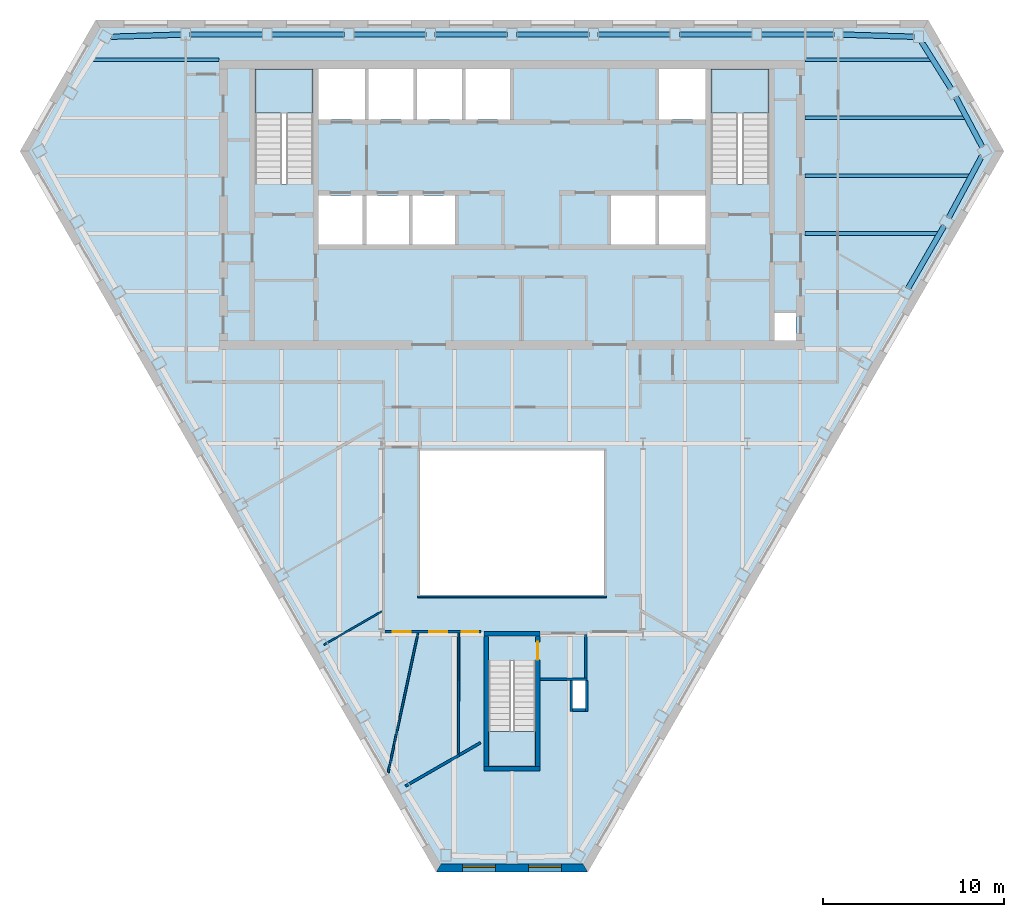
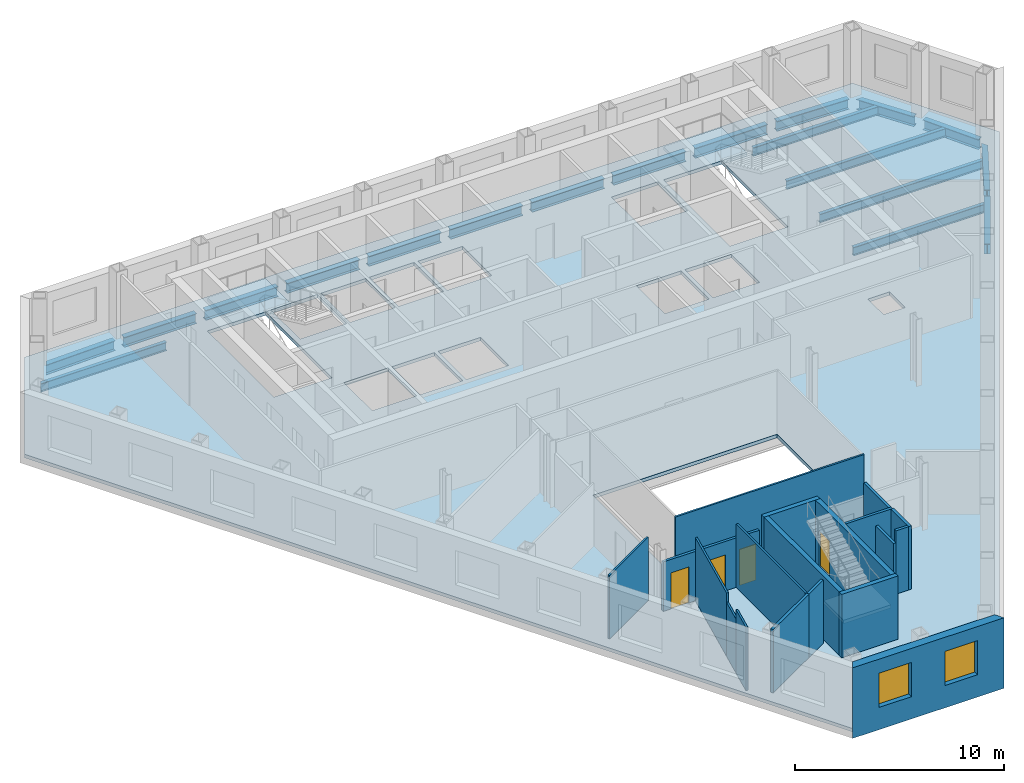
# One storey, part 3 of 10: 19 beams, 19 walls, 4 doors, 4 slabs, 2 windows, 6 openings, 3 elements without a shape of their own.
"""IFC4 building model written with IfcOpenShell, lengths in metres."""

from ifc_helpers import new_model, si_unit, direction, frame, frame_2d, origin, origin_2d, place, context, subcontext, project, spatial, polyline, rectangle, i_section, outline, extrude, clip, halfspace, material, layer, layer_set, material_profile, profile_set, type_object, element, fill, aggregate, save


model = new_model("IFC4")

# Units and contexts
model_context = context("Model", 3, precision=1e-05, world=origin(), true_north=direction((0.0, 1.0)))
body_context = subcontext(model_context, "Body", "Model", "MODEL_VIEW")
ifc_project = project(units=[si_unit("LENGTHUNIT", "METRE"), si_unit("AREAUNIT", "SQUARE_METRE"), si_unit("VOLUMEUNIT", "CUBIC_METRE"), si_unit("PLANEANGLEUNIT", "RADIAN"), si_unit("MASSUNIT", "GRAM", prefix="KILO")], contexts=[model_context])

# Site, building, storey
site_placement = place(None, origin())
site = spatial("IfcSite", under=ifc_project, at=site_placement, CompositionType="ELEMENT")
building_placement = place(site_placement, origin())
building = spatial("IfcBuilding", under=site, at=building_placement, Name="Njiva Tower", CompositionType="ELEMENT")
storey_placement = place(building_placement, frame((0.0, 0.0, 171.0)))
storey = spatial("IfcBuildingStorey", under=building, at=storey_placement, Name="L37", CompositionType="ELEMENT", Elevation=171.0)

# Beams
ifc_material_1 = material(Name="Steel S355 J2", Category="steel")
ifc_material_profile_1 = material_profile(ifc_material_1, i_section(OverallWidth=0.2, OverallDepth=0.5, WebThickness=0.0102, FlangeThickness=0.016, at=origin_2d()), Name="IPE 500")
ifc_profile_set_1 = profile_set([ifc_material_profile_1], Name="Steel S355 J2")
beam_type_1 = type_object("IfcBeamType", Name="B24 Floor beam to the core IPE 500", PredefinedType="BEAM", material=ifc_profile_set_1)
beam_1_placement = place(storey_placement, frame((16.2, 8.4, -0.45), z_axis=(1.0, 0.0, 0.0), x_axis=(0.0, 1.0, 0.0)))
element("IfcBeam", 1, at=beam_1_placement, inside=storey, type_object=beam_type_1, Name="Floor beam to the core S12-B009", PredefinedType="BEAM", context=body_context, shape_type="Clipping", body=[
    clip(extrude(i_section(OverallWidth=0.2, OverallDepth=0.5, WebThickness=0.0102, FlangeThickness=0.016, at=origin_2d()), origin(), (0.0, 0.0, 1.0), 7.396), halfspace(frame((-0.025, 0.0, 7.3036), z_axis=(-0.499998009787, 0.0, 0.866026552831), x_axis=(0.0, 1.0, 0.0)), False)),
])
beam_2_placement = place(storey_placement, frame((16.2, 11.6, -0.45), z_axis=(1.0, 0.0, 0.0), x_axis=(0.0, 1.0, 0.0)))
element("IfcBeam", 2, at=beam_2_placement, inside=storey, type_object=beam_type_1, Name="Floor beam to the core S12-B010", PredefinedType="BEAM", context=body_context, shape_type="Clipping", body=[
    clip(extrude(i_section(OverallWidth=0.2, OverallDepth=0.5, WebThickness=0.0102, FlangeThickness=0.016, at=origin_2d()), origin(), (0.0, 0.0, 1.0), 9.141), halfspace(frame((-0.0237, 0.0, 9.0542), z_axis=(-0.473769423091, 0.0, 0.880648927634), x_axis=(0.0, 1.0, 0.0)), False)),
])
beam_3_placement = place(storey_placement, frame((16.2, 14.8, -0.45), z_axis=(1.0, 0.0, 0.0), x_axis=(0.0, 1.0, 0.0)))
element("IfcBeam", 3, at=beam_3_placement, inside=storey, type_object=beam_type_1, Name="Floor beam to the core S12-B011", PredefinedType="BEAM", context=body_context, shape_type="Clipping", body=[
    clip(extrude(i_section(OverallWidth=0.2, OverallDepth=0.5, WebThickness=0.0102, FlangeThickness=0.016, at=origin_2d()), origin(), (0.0, 0.0, 1.0), 8.888), halfspace(frame((0.0234, 0.0, 8.8028), z_axis=(0.468070575493, 0.0, 0.883691086499), x_axis=(0.0, 1.0, 0.0)), False)),
])
beam_4_placement = place(storey_placement, frame((-23.221, 18.0, -0.45), z_axis=(1.0, 0.0, 0.0), x_axis=(0.0, 1.0, 0.0)))
element("IfcBeam", 4, at=beam_4_placement, inside=storey, type_object=beam_type_1, Name="Floor beam to the core S12-B004", PredefinedType="BEAM", context=body_context, shape_type="Clipping", body=[
    clip(extrude(i_section(OverallWidth=0.2, OverallDepth=0.5, WebThickness=0.0102, FlangeThickness=0.016, at=origin_2d()), origin(), (0.0, 0.0, 1.0), 7.021), halfspace(frame((0.0266, 0.0, 0.1), z_axis=(0.531259476258, 0.0, -0.847209164779), x_axis=(0.0, -1.0, 0.0)), False)),
])
beam_5_placement = place(storey_placement, frame((16.2, 18.0, -0.45), z_axis=(1.0, 0.0, 0.0), x_axis=(0.0, 1.0, 0.0)))
element("IfcBeam", 5, at=beam_5_placement, inside=storey, type_object=beam_type_1, Name="Floor beam to the core S12-B012", PredefinedType="BEAM", context=body_context, shape_type="Clipping", body=[
    clip(extrude(i_section(OverallWidth=0.2, OverallDepth=0.5, WebThickness=0.0102, FlangeThickness=0.016, at=origin_2d()), origin(), (0.0, 0.0, 1.0), 7.021), halfspace(frame((0.0266, 0.0, 6.921), z_axis=(0.531259476258, 0.0, 0.847209164779), x_axis=(0.0, 1.0, 0.0)), False)),
])
ifc_material_profile_2 = material_profile(ifc_material_1, i_section(OverallWidth=0.3, OverallDepth=0.59, WebThickness=0.013, FlangeThickness=0.025, at=origin_2d()), Name="HEA 600")
ifc_profile_set_2 = profile_set([ifc_material_profile_2], Name="Steel S355 J2")
beam_type_2 = type_object("IfcBeamType", Name="B27 Short-span spandrel beam HEA 600", PredefinedType="SPANDREL", material=ifc_profile_set_2)
beam_6_placement = place(storey_placement, frame((22.207, 19.275, -0.495), z_axis=(-0.999555557575, 0.029810859097, 0.0), x_axis=(-0.029810859097, -0.999555557575, 0.0)))
element("IfcBeam", 6, at=beam_6_placement, inside=storey, type_object=beam_type_2, Name="Short-span spandrel beam S12-B140", PredefinedType="SPANDREL", context=body_context, shape_type="SweptSolid", body=[
    extrude(i_section(OverallWidth=0.3, OverallDepth=0.59, WebThickness=0.013, FlangeThickness=0.025, at=origin_2d()), origin(), (0.0, 0.0, 1.0), 3.9247),
])
beam_7_placement = place(storey_placement, frame((17.78, 19.4, -0.495), z_axis=(-1.0, 0.0, 0.0), x_axis=(0.0, -1.0, 0.0)))
element("IfcBeam", 7, at=beam_7_placement, inside=storey, type_object=beam_type_2, Name="Short-span spandrel beam S12-B134", PredefinedType="SPANDREL", context=body_context, shape_type="SweptSolid", body=[
    extrude(i_section(OverallWidth=0.3, OverallDepth=0.59, WebThickness=0.013, FlangeThickness=0.025, at=origin_2d()), origin(), (0.0, 0.0, 1.0), 4.007),
])
beam_8_placement = place(storey_placement, frame((13.273, 19.4, -0.495), z_axis=(-1.0, 0.0, 0.0), x_axis=(0.0, -1.0, 0.0)))
element("IfcBeam", 8, at=beam_8_placement, inside=storey, type_object=beam_type_2, Name="Short-span spandrel beam S12-B129", PredefinedType="SPANDREL", context=body_context, shape_type="SweptSolid", body=[
    extrude(i_section(OverallWidth=0.3, OverallDepth=0.59, WebThickness=0.013, FlangeThickness=0.025, at=origin_2d()), origin(), (0.0, 0.0, 1.0), 4.008),
])
beam_9_placement = place(storey_placement, frame((8.765, 19.4, -0.495), z_axis=(-1.0, 0.0, 0.0), x_axis=(0.0, -1.0, 0.0)))
element("IfcBeam", 9, at=beam_9_placement, inside=storey, type_object=beam_type_2, Name="Short-span spandrel beam S12-B124", PredefinedType="SPANDREL", context=body_context, shape_type="SweptSolid", body=[
    extrude(i_section(OverallWidth=0.3, OverallDepth=0.59, WebThickness=0.013, FlangeThickness=0.025, at=origin_2d()), origin(), (0.0, 0.0, 1.0), 4.007),
])
for number, where, z_axis, x_axis, name in (
    (10, (4.258, 19.4, -0.495), (-1.0, 0.0, 0.0), (0.0, -1.0, 0.0), "Short-span spandrel beam S12-B120"),
    (11, (-0.25, 19.4, -0.495), (-1.0, 0.0, 0.0), (0.0, -1.0, 0.0), "Short-span spandrel beam S12-B115"),
):
    element("IfcBeam", number, at=place(storey_placement, frame(where, z_axis=z_axis, x_axis=x_axis)), inside=storey, type_object=beam_type_2, Name=name, PredefinedType="SPANDREL", context=body_context, shape_type="SweptSolid", body=[
        extrude(i_section(OverallWidth=0.3, OverallDepth=0.59, WebThickness=0.013, FlangeThickness=0.025, at=origin_2d()), origin(), (0.0, 0.0, 1.0), 4.008),
    ])
beam_10_placement = place(storey_placement, frame((-4.758, 19.4, -0.495), z_axis=(-1.0, 0.0, 0.0), x_axis=(0.0, -1.0, 0.0)))
element("IfcBeam", 12, at=beam_10_placement, inside=storey, type_object=beam_type_2, Name="Short-span spandrel beam S12-B109", PredefinedType="SPANDREL", context=body_context, shape_type="SweptSolid", body=[
    extrude(i_section(OverallWidth=0.3, OverallDepth=0.59, WebThickness=0.013, FlangeThickness=0.025, at=origin_2d()), origin(), (0.0, 0.0, 1.0), 4.007),
])
beam_11_placement = place(storey_placement, frame((-9.265, 19.4, -0.495), z_axis=(-1.0, 0.0, 0.0), x_axis=(0.0, -1.0, 0.0)))
element("IfcBeam", 13, at=beam_11_placement, inside=storey, type_object=beam_type_2, Name="Short-span spandrel beam S12-B104", PredefinedType="SPANDREL", context=body_context, shape_type="SweptSolid", body=[
    extrude(i_section(OverallWidth=0.3, OverallDepth=0.59, WebThickness=0.013, FlangeThickness=0.025, at=origin_2d()), origin(), (0.0, 0.0, 1.0), 4.008),
])
beam_12_placement = place(storey_placement, frame((-13.773, 19.4, -0.495), z_axis=(-1.0, 0.0, 0.0), x_axis=(0.0, -1.0, 0.0)))
element("IfcBeam", 14, at=beam_12_placement, inside=storey, type_object=beam_type_2, Name="Short-span spandrel beam S12-B099", PredefinedType="SPANDREL", context=body_context, shape_type="SweptSolid", body=[
    extrude(i_section(OverallWidth=0.3, OverallDepth=0.59, WebThickness=0.013, FlangeThickness=0.025, at=origin_2d()), origin(), (0.0, 0.0, 1.0), 4.007),
])
beam_13_placement = place(storey_placement, frame((-18.284, 19.392, -0.495), z_axis=(-0.999548343255, -0.030051780255, 0.0), x_axis=(0.030051780255, -0.999548343255, 0.0)))
element("IfcBeam", 15, at=beam_13_placement, inside=storey, type_object=beam_type_2, Name="Short-span spandrel beam S12-B093", PredefinedType="SPANDREL", context=body_context, shape_type="Clipping", body=[
    clip(extrude(i_section(OverallWidth=0.3, OverallDepth=0.59, WebThickness=0.013, FlangeThickness=0.025, at=origin_2d()), origin(), (0.0, 0.0, 1.0), 3.9397), halfspace(frame((-0.0268, 0.0, 3.81), z_axis=(-0.525797821974, 0.0, 0.850609575779), x_axis=(0.0, 1.0, 0.0)), False)),
])
beam_14_placement = place(storey_placement, frame((21.879, 5.361, -0.495), z_axis=(0.499924104568, 0.866069217599, 0.0), x_axis=(-0.866069217599, 0.499924104568, 0.0)))
element("IfcBeam", 16, at=beam_14_placement, inside=storey, type_object=beam_type_2, Name="Short-span spandrel beam S12-B144", PredefinedType="SPANDREL", context=body_context, shape_type="SweptSolid", body=[
    extrude(i_section(OverallWidth=0.3, OverallDepth=0.59, WebThickness=0.013, FlangeThickness=0.025, at=origin_2d()), origin(), (0.0, 0.0, 1.0), 4.0066),
])
beam_15_placement = place(storey_placement, frame((24.128, 9.271, -0.495), z_axis=(0.473772541358, 0.88064725007, 0.0), x_axis=(-0.88064725007, 0.473772541358, 0.0)))
element("IfcBeam", 17, at=beam_15_placement, inside=storey, type_object=beam_type_2, Name="Short-span spandrel beam S12-B148", PredefinedType="SPANDREL", context=body_context, shape_type="Clipping", body=[
    clip(extrude(i_section(OverallWidth=0.3, OverallDepth=0.59, WebThickness=0.013, FlangeThickness=0.025, at=origin_2d()), origin(), (0.0, 0.0, 1.0), 3.9397), halfspace(frame((-0.0259, 0.0, 3.8102), z_axis=(-0.525778574468, 0.0, 0.850621473178), x_axis=(0.0, 1.0, 0.0)), False)),
])
beam_16_placement = place(storey_placement, frame((25.989, 13.176, -0.495), z_axis=(-0.468107171573, 0.883671701438, 0.0), x_axis=(-0.883671701438, -0.468107171573, 0.0)))
element("IfcBeam", 18, at=beam_16_placement, inside=storey, type_object=beam_type_2, Name="Short-span spandrel beam S12-B149", PredefinedType="SPANDREL", context=body_context, shape_type="SweptSolid", body=[
    extrude(i_section(OverallWidth=0.3, OverallDepth=0.59, WebThickness=0.013, FlangeThickness=0.025, at=origin_2d()), origin(), (0.0, 0.0, 1.0), 3.1403),
])
beam_17_placement = place(storey_placement, frame((24.264, 16.392, -0.495), z_axis=(-0.531329059017, 0.847165527535, 0.0), x_axis=(-0.847165527535, -0.531329059017, 0.0)))
element("IfcBeam", 19, at=beam_17_placement, inside=storey, type_object=beam_type_2, Name="Short-span spandrel beam S12-B145", PredefinedType="SPANDREL", context=body_context, shape_type="Clipping", body=[
    clip(extrude(i_section(OverallWidth=0.3, OverallDepth=0.59, WebThickness=0.013, FlangeThickness=0.025, at=origin_2d()), origin(), (0.0, 0.0, 1.0), 3.1535), halfspace(frame((-0.0269, 0.0, 3.0227), z_axis=(-0.531329059017, 0.0, 0.847165527535), x_axis=(0.0, 1.0, 0.0)), False)),
])

# Stair, slab
ifc_material_2 = material(Name="Concrete C40/50", Category="concrete")
stair_type_1 = type_object("IfcStairType", Name="ST4 Exit stair 1500", PredefinedType="HALF_TURN_STAIR", material=ifc_material_2)
stair_1_placement = place(storey_placement, origin())
stair_1 = element("IfcStair", 20, at=stair_1_placement, inside=storey, type_object=stair_type_1, Name="Stair A", PredefinedType="HALF_TURN_STAIR")
ifc_layer_1 = layer(ifc_material_2, 0.2)
ifc_layer_set_1 = layer_set([ifc_layer_1], Name="Concrete C40/50")
slab_type_1 = type_object("IfcSlabType", Name="FL9 Stair landing 200", PredefinedType="LANDING", material=ifc_layer_set_1)
slab_1_placement = place(storey_placement, frame((0.0, 0.0, 1.75)))
slab_1 = element("IfcSlab", 21, at=slab_1_placement, type_object=slab_type_1, Name="ST-A landing 1", PredefinedType="LANDING", context=body_context, shape_type="SweptSolid", body=[
    extrude(outline(polyline([(-14.206, 15.06), (-10.994, 15.06), (-10.994, 17.5), (-14.206, 17.5), (-14.206, 15.06)])), origin(), (0.0, 0.0, 1.0), 0.2),
])
aggregate(stair_1, [slab_1])

stair_2_placement = place(storey_placement, origin())
stair_2 = element("IfcStair", 22, at=stair_2_placement, inside=storey, type_object=stair_type_1, Name="Stair B", PredefinedType="HALF_TURN_STAIR")
slab_2_placement = place(storey_placement, frame((0.0, 0.0, 1.75)))
slab_2 = element("IfcSlab", 23, at=slab_2_placement, type_object=slab_type_1, Name="ST-B landing 1", PredefinedType="LANDING", context=body_context, shape_type="SweptSolid", body=[
    extrude(outline(polyline([(10.994, 15.06), (14.206, 15.06), (14.206, 17.5), (10.994, 17.5), (10.994, 15.06)])), origin(), (0.0, 0.0, 1.0), 0.2),
])
aggregate(stair_2, [slab_2])

stair_type_2 = type_object("IfcStairType", Name="ST1 Exit stair 1250", PredefinedType="HALF_TURN_STAIR", material=ifc_material_2)
stair_3_placement = place(storey_placement, origin())
stair_3 = element("IfcStair", 24, at=stair_3_placement, inside=storey, type_object=stair_type_2, Name="Stair C", PredefinedType="HALF_TURN_STAIR")
slab_3_placement = place(storey_placement, frame((0.0, 0.0, 1.75)))
slab_3 = element("IfcSlab", 25, at=slab_3_placement, type_object=slab_type_1, Name="ST-C landing 1", PredefinedType="LANDING", context=body_context, shape_type="SweptSolid", body=[
    extrude(outline(polyline([(-1.306, -21.05), (1.306, -21.05), (1.306, -19.12), (-1.306, -19.12), (-1.306, -21.05)])), origin(), (0.0, 0.0, 1.0), 0.2),
])
aggregate(stair_3, [slab_3])

# Slab
ifc_material_3 = material(Name="Concrete C30/37", Category="concrete")
ifc_layer_2 = layer(ifc_material_3, 0.2)
ifc_layer_set_2 = layer_set([ifc_layer_2], Name="Concrete C30/37")
slab_type_2 = type_object("IfcSlabType", Name="SL16 Composite floor slab 200", PredefinedType="FLOOR", material=ifc_layer_set_2)
slab_4_placement = place(storey_placement, frame((0.0, 0.0, -0.2)))
element("IfcSlab", 26, at=slab_4_placement, inside=storey, type_object=slab_type_2, Name="Floor slab L37", PredefinedType="FLOOR", context=body_context, shape_type="SweptSolid", body=[
    extrude(outline(polyline([(26.9252, 12.9514), (4.0551, -26.6608), (-4.0551, -26.6608), (-26.9252, 12.9514), (-22.8701, 19.975), (22.8701, 19.975), (26.9252, 12.9514)]), holes=[polyline([(14.5, 2.5), (15.7, 2.5), (15.7, 4.0), (14.5, 4.0), (14.5, 2.5)]), polyline([(10.994, 11.13), (14.206, 11.13), (14.206, 17.5), (10.994, 17.5), (10.994, 11.13)]), polyline([(8.125, 14.7), (10.7, 14.7), (10.7, 17.5), (8.125, 17.5), (8.125, 14.7)]), polyline([(8.1333, 7.8), (10.7, 7.8), (10.7, 10.5), (8.1333, 10.5), (8.1333, 7.8)]), polyline([(5.4667, 7.8), (7.9333, 7.8), (7.9333, 10.5), (5.4667, 10.5), (5.4667, 7.8)]), polyline([(5.09, -11.6), (5.09, -3.6), (-5.09, -3.6), (-5.09, -11.6), (5.09, -11.6)]), polyline([(3.35, -17.85), (4.05, -17.85), (4.05, -16.3), (3.35, -16.3), (3.35, -17.85)]), polyline([(-1.306, -21.05), (1.306, -21.05), (1.306, -15.19), (-1.306, -15.19), (-1.306, -21.05)]), polyline([(-2.575, 14.7), (-0.1, 14.7), (-0.1, 17.5), (-2.575, 17.5), (-2.575, 14.7)]), polyline([(-5.25, 14.7), (-2.775, 14.7), (-2.775, 17.5), (-5.25, 17.5), (-5.25, 14.7)]), polyline([(-5.5, 7.8), (-3.15, 7.8), (-3.15, 10.5), (-5.5, 10.5), (-5.5, 7.8)]), polyline([(-7.925, 14.7), (-5.45, 14.7), (-5.45, 17.5), (-7.925, 17.5), (-7.925, 14.7)]), polyline([(-8.05, 7.8), (-5.7, 7.8), (-5.7, 10.5), (-8.05, 10.5), (-8.05, 7.8)]), polyline([(-10.7, 14.7), (-8.125, 14.7), (-8.125, 17.5), (-10.7, 17.5), (-10.7, 14.7)]), polyline([(-10.7, 7.8), (-8.25, 7.8), (-8.25, 10.5), (-10.7, 10.5), (-10.7, 7.8)]), polyline([(-14.206, 11.13), (-10.994, 11.13), (-10.994, 17.5), (-14.206, 17.5), (-14.206, 11.13)])]), origin(), (0.0, 0.0, 1.0), 0.2),
])

# Walls
ifc_material_4 = material(Name="Gypsum board on steel studs", Category="gypsum")
ifc_layer_3 = layer(ifc_material_4, 0.1)
ifc_layer_set_3 = layer_set([ifc_layer_3], Name="Gypsum board on steel studs")
wall_type_1 = type_object("IfcWallType", Name="WT20 Gypsum partition 100", PredefinedType="PARTITIONING", material=ifc_layer_set_3)
wall_1_placement = place(storey_placement, frame((-10.398, -14.325, 0.0), z_axis=(0.0, 0.0, 1.0), x_axis=(0.866041729639, 0.499971721724, 0.0)))
element("IfcWall", 27, at=wall_1_placement, inside=storey, type_object=wall_type_1, Name="Partition S12-P007", PredefinedType="PARTITIONING", context=body_context, shape_type="SweptSolid", body=[
    extrude(rectangle(XDim=3.7042, YDim=0.1, at=frame_2d((1.8521, 0.0))), origin(), (0.0, 0.0, 1.0), 3.7),
])
wall_2_placement = place(storey_placement, frame((-6.844, -21.38, 0.0), z_axis=(0.0, 0.0, 1.0), x_axis=(0.209529088731, 0.977802414077, 0.0)))
element("IfcWall", 28, at=wall_2_placement, inside=storey, type_object=wall_type_1, Name="Partition S12-P013", PredefinedType="PARTITIONING", context=body_context, shape_type="SweptSolid", body=[
    extrude(rectangle(XDim=1.542, YDim=0.1, at=frame_2d((0.771, 0.0))), origin(), (0.0, 0.0, 1.0), 3.7),
])
wall_3_placement = place(storey_placement, frame((-6.5209, -19.8722, 0.0), z_axis=(0.0, 0.0, 1.0), x_axis=(0.209543036328, 0.977799425203, 0.0)))
element("IfcWall", 29, at=wall_3_placement, inside=storey, type_object=wall_type_1, Name="Partition S12-P013A", PredefinedType="PARTITIONING", context=body_context, shape_type="SweptSolid", body=[
    extrude(rectangle(XDim=1.4689, YDim=0.1, at=frame_2d((0.7345, 0.0))), origin(), (0.0, 0.0, 1.0), 3.15),
])
wall_4_placement = place(storey_placement, frame((-6.2131, -18.4359, 0.0), z_axis=(0.0, 0.0, 1.0), x_axis=(0.209538927619, 0.977800305692, 0.0)))
element("IfcWall", 30, at=wall_4_placement, inside=storey, type_object=wall_type_1, Name="Partition S12-P013B", PredefinedType="PARTITIONING", context=body_context, shape_type="SweptSolid", body=[
    extrude(rectangle(XDim=4.8588, YDim=0.1, at=frame_2d((2.4294, 0.0))), origin(), (0.0, 0.0, 1.0), 3.7),
])
wall_5_placement = place(storey_placement, frame((-2.959, -20.324, 0.0), z_axis=(0.0, 0.0, 1.0), x_axis=(0.0028575609, 0.999995917165, 0.0)))
element("IfcWall", 31, at=wall_5_placement, inside=storey, type_object=wall_type_1, Name="Partition S12-P016", PredefinedType="PARTITIONING", context=body_context, shape_type="SweptSolid", body=[
    extrude(rectangle(XDim=6.649, YDim=0.1, at=frame_2d((3.3245, 0.0))), origin(), (0.0, 0.0, 1.0), 3.7),
])

# Wall, openings, doors
ifc_layer_4 = layer(ifc_material_4, 0.15)
ifc_layer_set_4 = layer_set([ifc_layer_4], Name="Gypsum board on steel studs")
wall_type_2 = type_object("IfcWallType", Name="WT21 Compartment wall 150", PredefinedType="PARTITIONING", material=ifc_layer_set_4)
wall_6_placement = place(storey_placement, frame((-7.015, -13.6, 0.0), z_axis=(0.0, 0.0, 1.0), x_axis=(1.0, 0.0, 0.0)))
wall_6 = element("IfcWall", 32, at=wall_6_placement, inside=storey, type_object=wall_type_2, Name="Partition S12-P012", PredefinedType="PARTITIONING", context=body_context, shape_type="SweptSolid", body=[
    extrude(rectangle(XDim=5.315, YDim=0.15, at=frame_2d((2.6575, 0.0))), origin(), (0.0, 0.0, 1.0), 2.886),
])
opening_1_placement = place(wall_6_placement, frame((0.419, 0.0, 0.0)))
opening_1 = element("IfcOpeningElement", 33, at=opening_1_placement, cuts=wall_6, Name="Opening S12-D008", PredefinedType="OPENING", context=body_context, shape_type="SweptSolid", body=[
    extrude(rectangle(XDim=1.0, YDim=2.1, at=frame_2d((0.5, 1.05))), frame((0.0, 0.085, 0.0), z_axis=(0.0, -1.0, 0.0), x_axis=(1.0, 0.0, 0.0)), (0.0, 0.0, 1.0), 0.17),
])
opening_2_placement = place(wall_6_placement, frame((2.44, 0.0, 0.0)))
opening_2 = element("IfcOpeningElement", 34, at=opening_2_placement, cuts=wall_6, Name="Opening S12-D009", PredefinedType="OPENING", context=body_context, shape_type="SweptSolid", body=[
    extrude(rectangle(XDim=1.0, YDim=2.1, at=frame_2d((0.5, 1.05))), frame((0.0, 0.085, 0.0), z_axis=(0.0, -1.0, 0.0), x_axis=(1.0, 0.0, 0.0)), (0.0, 0.0, 1.0), 0.17),
])
opening_3_placement = place(wall_6_placement, frame((4.245, 0.0, 0.0)))
opening_3 = element("IfcOpeningElement", 35, at=opening_3_placement, cuts=wall_6, Name="Opening S12-D010", PredefinedType="OPENING", context=body_context, shape_type="SweptSolid", body=[
    extrude(rectangle(XDim=0.9, YDim=2.1, at=frame_2d((0.45, 1.05))), frame((0.0, 0.085, 0.0), z_axis=(0.0, -1.0, 0.0), x_axis=(1.0, 0.0, 0.0)), (0.0, 0.0, 1.0), 0.17),
])
ifc_material_5 = material(Name="Steel fire door set", Category="steel")
door_type_1 = type_object("IfcDoorType", Name="D36 Fire door 900x2100", OperationType="SINGLE_SWING_LEFT", PredefinedType="DOOR", material=ifc_material_5)
door_1_placement = place(opening_3_placement, origin())
door_1 = element("IfcDoor", 36, at=door_1_placement, inside=storey, type_object=door_type_1, Name="Door S12-D010", OperationType="SINGLE_SWING_RIGHT", OverallHeight=2.1, OverallWidth=0.9, PredefinedType="DOOR", context=body_context, shape_type="SweptSolid", body=[
    extrude(rectangle(XDim=0.9, YDim=2.1, at=frame_2d((0.45, 1.05))), frame((0.0, 0.025, 0.0), z_axis=(0.0, -1.0, 0.0), x_axis=(1.0, 0.0, 0.0)), (0.0, 0.0, 1.0), 0.05),
])
fill(opening_3, door_1)
door_type_2 = type_object("IfcDoorType", Name="D37 Fire door 1000x2100", OperationType="SINGLE_SWING_LEFT", PredefinedType="DOOR", material=ifc_material_5)
door_2_placement = place(opening_1_placement, origin())
door_2 = element("IfcDoor", 37, at=door_2_placement, inside=storey, type_object=door_type_2, Name="Door S12-D008", OperationType="SINGLE_SWING_LEFT", OverallHeight=2.1, OverallWidth=1.0, PredefinedType="DOOR", context=body_context, shape_type="SweptSolid", body=[
    extrude(rectangle(XDim=1.0, YDim=2.1, at=frame_2d((0.5, 1.05))), frame((0.0, 0.025, 0.0), z_axis=(0.0, -1.0, 0.0), x_axis=(1.0, 0.0, 0.0)), (0.0, 0.0, 1.0), 0.05),
])
fill(opening_1, door_2)
door_3_placement = place(opening_2_placement, origin())
door_3 = element("IfcDoor", 38, at=door_3_placement, inside=storey, type_object=door_type_2, Name="Door S12-D009", OperationType="SINGLE_SWING_RIGHT", OverallHeight=2.1, OverallWidth=1.0, PredefinedType="DOOR", context=body_context, shape_type="SweptSolid", body=[
    extrude(rectangle(XDim=1.0, YDim=2.1, at=frame_2d((0.5, 1.05))), frame((0.0, 0.025, 0.0), z_axis=(0.0, -1.0, 0.0), x_axis=(1.0, 0.0, 0.0)), (0.0, 0.0, 1.0), 0.05),
])
fill(opening_2, door_3)

# Walls
wall_7_placement = place(storey_placement, frame((-5.89, -22.132, 0.0), z_axis=(0.0, 0.0, 1.0), x_axis=(0.866030409726, 0.499991329354, 0.0)))
element("IfcWall", 39, at=wall_7_placement, inside=storey, type_object=wall_type_2, Name="Partition S12-P014", PredefinedType="PARTITIONING", context=body_context, shape_type="SweptSolid", body=[
    extrude(rectangle(XDim=3.4341, YDim=0.15, at=frame_2d((1.717, 0.0))), origin(), (0.0, 0.0, 1.0), 3.7),
])
wall_8_placement = place(storey_placement, frame((-2.916, -20.415, 0.0), z_axis=(0.0, 0.0, 1.0), x_axis=(0.865426285481, 0.501036270542, 0.0)))
element("IfcWall", 40, at=wall_8_placement, inside=storey, type_object=wall_type_2, Name="Partition S12-P017", PredefinedType="PARTITIONING", context=body_context, shape_type="SweptSolid", body=[
    extrude(rectangle(XDim=1.3612, YDim=0.15, at=frame_2d((0.6806, 0.0))), origin(), (0.0, 0.0, 1.0), 3.7),
])
ifc_material_6 = material(Name="Blockwork", Category="masonry")
ifc_layer_5 = layer(ifc_material_6, 0.15)
ifc_layer_set_5 = layer_set([ifc_layer_5], Name="Blockwork")
wall_type_3 = type_object("IfcWallType", Name="WT4 Stair partition 150", PredefinedType="PARTITIONING", material=ifc_layer_set_5)
wall_9_placement = place(storey_placement, frame((1.55, -16.225, 0.0), z_axis=(0.0, 0.0, 1.0), x_axis=(1.0, 0.0, 0.0)))
element("IfcWall", 41, at=wall_9_placement, inside=storey, type_object=wall_type_3, Name="Stair C vestibule wall south", PredefinedType="PARTITIONING", context=body_context, shape_type="SweptSolid", body=[
    extrude(rectangle(XDim=2.6, YDim=0.15, at=frame_2d((1.3, 0.0))), origin(), (0.0, 0.0, 1.0), 3.7),
])
wall_10_placement = place(storey_placement, frame((4.075, -16.15, 0.0), z_axis=(0.0, 0.0, 1.0), x_axis=(0.0, 1.0, 0.0)))
element("IfcWall", 42, at=wall_10_placement, inside=storey, type_object=wall_type_3, Name="Stair C vestibule wall east", PredefinedType="PARTITIONING", context=body_context, shape_type="SweptSolid", body=[
    extrude(rectangle(XDim=2.4, YDim=0.15, at=frame_2d((1.2, 0.0))), origin(), (0.0, 0.0, 1.0), 3.7),
])
wall_11_placement = place(storey_placement, frame((3.275, -18.0, 0.0), z_axis=(0.0, 0.0, 1.0), x_axis=(0.0, 1.0, 0.0)))
element("IfcWall", 43, at=wall_11_placement, inside=storey, type_object=wall_type_3, Name="Stair C pressurisation shaft wall", PredefinedType="PARTITIONING", context=body_context, shape_type="SweptSolid", body=[
    extrude(rectangle(XDim=1.7, YDim=0.15, at=frame_2d((0.85, 0.0))), origin(), (0.0, 0.0, 1.0), 3.01),
])
wall_12_placement = place(storey_placement, frame((3.35, -17.925, 0.0), z_axis=(0.0, 0.0, 1.0), x_axis=(1.0, 0.0, 0.0)))
element("IfcWall", 44, at=wall_12_placement, inside=storey, type_object=wall_type_3, Name="Stair C pressurisation shaft wall", PredefinedType="PARTITIONING", context=body_context, shape_type="SweptSolid", body=[
    extrude(rectangle(XDim=0.7, YDim=0.15, at=frame_2d((0.35, 0.0))), origin(), (0.0, 0.0, 1.0), 3.7),
])
wall_13_placement = place(storey_placement, frame((4.125, -18.0, 0.0), z_axis=(0.0, 0.0, 1.0), x_axis=(0.0, 1.0, 0.0)))
element("IfcWall", 45, at=wall_13_placement, inside=storey, type_object=wall_type_3, Name="Stair C pressurisation shaft wall", PredefinedType="PARTITIONING", context=body_context, shape_type="SweptSolid", body=[
    extrude(rectangle(XDim=1.7, YDim=0.15, at=frame_2d((0.85, 0.0))), origin(), (0.0, 0.0, 1.0), 3.7),
])
ifc_layer_6 = layer(ifc_material_2, 0.25)
ifc_layer_set_6 = layer_set([ifc_layer_6], Name="Concrete C40/50")
wall_type_4 = type_object("IfcWallType", Name="WT9 Stair enclosure wall 250", PredefinedType="SHEAR", material=ifc_layer_set_6)
wall_14_placement = place(storey_placement, frame((-1.425, -21.05, 0.0), z_axis=(0.0, 0.0, 1.0), x_axis=(0.0, 1.0, 0.0)))
element("IfcWall", 46, at=wall_14_placement, inside=storey, type_object=wall_type_4, Name="Stair C wall west", PredefinedType="SHEAR", context=body_context, shape_type="SweptSolid", body=[
    extrude(rectangle(XDim=7.2, YDim=0.25, at=frame_2d((3.6, 0.0))), origin(), (0.0, 0.0, 1.0), 3.7),
])

# Wall, opening, door
wall_15_placement = place(storey_placement, frame((1.425, -21.05, 0.0), z_axis=(0.0, 0.0, 1.0), x_axis=(0.0, 1.0, 0.0)))
wall_15 = element("IfcWall", 47, at=wall_15_placement, inside=storey, type_object=wall_type_4, Name="Stair C wall east", PredefinedType="SHEAR", context=body_context, shape_type="SweptSolid", body=[
    extrude(rectangle(XDim=7.2, YDim=0.25, at=frame_2d((3.6, 0.0))), origin(), (0.0, 0.0, 1.0), 3.7),
])
opening_4_placement = place(wall_15_placement, frame((5.89, 0.0, 0.0)))
opening_4 = element("IfcOpeningElement", 48, at=opening_4_placement, cuts=wall_15, Name="Opening S12-D939", PredefinedType="OPENING", context=body_context, shape_type="SweptSolid", body=[
    extrude(rectangle(XDim=1.0, YDim=2.1, at=frame_2d((0.5, 1.05))), frame((0.0, 0.135, 0.0), z_axis=(0.0, -1.0, 0.0), x_axis=(1.0, 0.0, 0.0)), (0.0, 0.0, 1.0), 0.27),
])
ifc_material_7 = material(Name="Glazed steel fire door", Category="steel")
door_type_3 = type_object("IfcDoorType", Name="D9 Stair vestibule door 1000x2100 glazed", OperationType="SINGLE_SWING_LEFT", PredefinedType="DOOR", material=ifc_material_7)
door_4_placement = place(opening_4_placement, origin())
door_4 = element("IfcDoor", 49, at=door_4_placement, inside=storey, type_object=door_type_3, Name="Stair C door", OperationType="SINGLE_SWING_LEFT", OverallHeight=2.1, OverallWidth=1.0, PredefinedType="DOOR", context=body_context, shape_type="SweptSolid", body=[
    extrude(rectangle(XDim=1.0, YDim=2.1, at=frame_2d((0.5, 1.05))), frame((0.0, 0.025, 0.0), z_axis=(0.0, -1.0, 0.0), x_axis=(1.0, 0.0, 0.0)), (0.0, 0.0, 1.0), 0.05),
])
fill(opening_4, door_4)

# Walls
for number, where, z_axis, x_axis, name in (
    (50, (-1.55, -21.175, 0.0), (0.0, 0.0, 1.0), (1.0, 0.0, 0.0), "Stair C wall south"),
    (51, (-1.55, -13.725, 0.0), (0.0, 0.0, 1.0), (1.0, 0.0, 0.0), "Stair C wall north"),
):
    element("IfcWall", number, at=place(storey_placement, frame(where, z_axis=z_axis, x_axis=x_axis)), inside=storey, type_object=wall_type_4, Name=name, PredefinedType="SHEAR", context=body_context, shape_type="SweptSolid", body=[
        extrude(rectangle(XDim=3.1, YDim=0.25, at=frame_2d((1.55, 0.0))), origin(), (0.0, 0.0, 1.0), 3.7),
    ])

# Wall, openings, windows
ifc_material_8 = material(Name="Brick masonry, buff", Category="masonry")
ifc_layer_7 = layer(ifc_material_8, 0.45)
ifc_layer_set_7 = layer_set([ifc_layer_7], Name="Brick masonry, buff")
wall_type_5 = type_object("IfcWallType", Name="WT94 Brick pier and spandrel wall 450, buff", PredefinedType="SOLIDWALL", material=ifc_layer_set_7)
wall_16_placement = place(storey_placement, frame((-4.0551, -26.6608, -0.4), z_axis=(0.0, 0.0, 1.0), x_axis=(1.0, 0.0, 0.0)))
wall_16 = element("IfcWall", 52, at=wall_16_placement, inside=storey, type_object=wall_type_5, Name="Facade wall S", PredefinedType="SOLIDWALL", context=body_context, shape_type="SweptSolid", body=[
    extrude(outline(polyline([(-0.1299, -0.225), (8.2401, -0.225), (7.9803, 0.225), (0.1299, 0.225), (-0.1299, -0.225)])), origin(), (0.0, 0.0, 1.0), 4.12),
])
opening_5_placement = place(wall_16_placement, frame((1.3319, 0.0, 1.3)))
opening_5 = element("IfcOpeningElement", 53, at=opening_5_placement, cuts=wall_16, Name="Opening S12-W22", PredefinedType="OPENING", context=body_context, shape_type="SweptSolid", body=[
    extrude(rectangle(XDim=1.8, YDim=2.0, at=frame_2d((0.9, 1.0))), frame((0.0, 0.235, 0.0), z_axis=(0.0, -1.0, 0.0), x_axis=(1.0, 0.0, 0.0)), (0.0, 0.0, 1.0), 0.47),
])
opening_6_placement = place(wall_16_placement, frame((4.9782, 0.0, 1.3)))
opening_6 = element("IfcOpeningElement", 54, at=opening_6_placement, cuts=wall_16, Name="Opening S12-W23", PredefinedType="OPENING", context=body_context, shape_type="SweptSolid", body=[
    extrude(rectangle(XDim=1.8, YDim=2.0, at=frame_2d((0.9, 1.0))), frame((0.0, 0.235, 0.0), z_axis=(0.0, -1.0, 0.0), x_axis=(1.0, 0.0, 0.0)), (0.0, 0.0, 1.0), 0.47),
])
ifc_material_9 = material(Name="Clear glazing in aluminium frame", Category="aluminium")
window_type = type_object("IfcWindowType", Name="W94 Deep-set window 1800x2000", PartitioningType="SINGLE_PANEL", PredefinedType="WINDOW", material=ifc_material_9)
window_1_placement = place(opening_5_placement, origin())
window_1 = element("IfcWindow", 55, at=window_1_placement, inside=storey, type_object=window_type, Name="Window", OverallHeight=2.0, OverallWidth=1.8, PartitioningType="SINGLE_PANEL", PredefinedType="WINDOW", context=body_context, shape_type="SweptSolid", body=[
    extrude(rectangle(XDim=1.8, YDim=2.0, at=frame_2d((0.9, 1.0))), frame((0.0, 0.105, 0.0), z_axis=(0.0, -1.0, 0.0), x_axis=(1.0, 0.0, 0.0)), (0.0, 0.0, 1.0), 0.06),
])
fill(opening_5, window_1)
window_2_placement = place(opening_6_placement, origin())
window_2 = element("IfcWindow", 56, at=window_2_placement, inside=storey, type_object=window_type, Name="Window", OverallHeight=2.0, OverallWidth=1.8, PartitioningType="SINGLE_PANEL", PredefinedType="WINDOW", context=body_context, shape_type="SweptSolid", body=[
    extrude(rectangle(XDim=1.8, YDim=2.0, at=frame_2d((0.9, 1.0))), frame((0.0, 0.105, 0.0), z_axis=(0.0, -1.0, 0.0), x_axis=(1.0, 0.0, 0.0)), (0.0, 0.0, 1.0), 0.06),
])
fill(opening_6, window_2)

# Wall
ifc_material_10 = material(Name="Fire-resisting glazing EI 90", Category="glass")
ifc_layer_8 = layer(ifc_material_10, 0.1)
ifc_layer_set_8 = layer_set([ifc_layer_8], Name="Fire-resisting glazing EI 90")
wall_type_6 = type_object("IfcWallType", Name="WT95 Fire-resisting glazed screen EI 90", PredefinedType="PARTITIONING", material=ifc_layer_set_8)
wall_17_placement = place(storey_placement, frame((-5.21, -11.67, 0.0), z_axis=(0.0, 0.0, 1.0), x_axis=(1.0, 0.0, 0.0)))
element("IfcWall", 57, at=wall_17_placement, inside=storey, type_object=wall_type_6, Name="Atrium fire screen south", PredefinedType="PARTITIONING", context=body_context, shape_type="SweptSolid", body=[
    extrude(rectangle(XDim=10.42, YDim=0.1, at=frame_2d((5.21, 0.0))), origin(), (0.0, 0.0, 1.0), 3.7),
])

save(model, "model.ifc")
